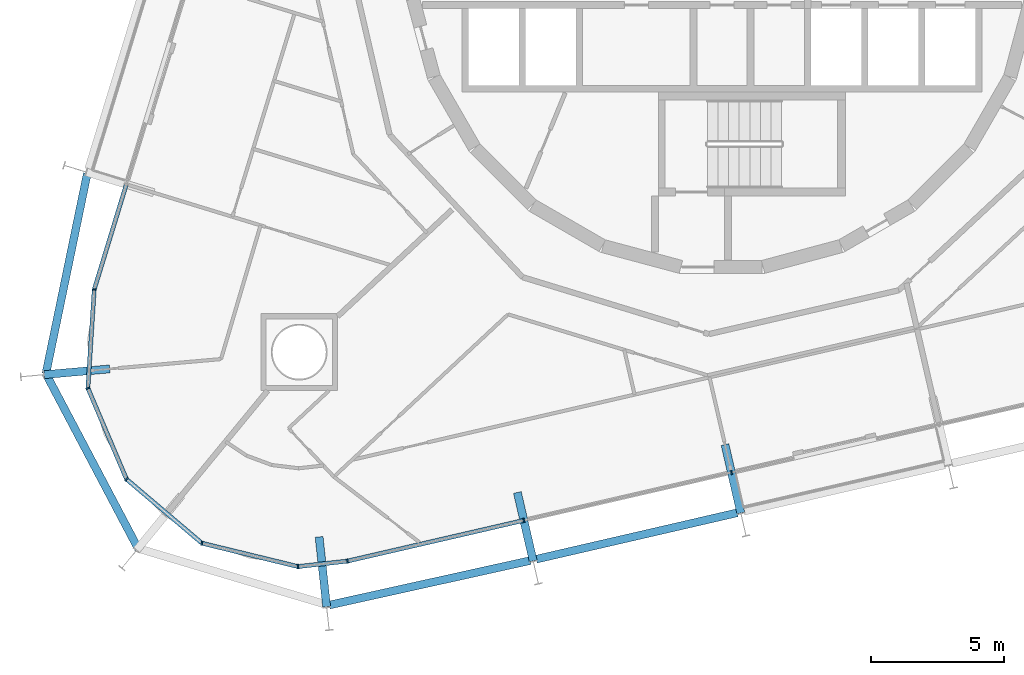
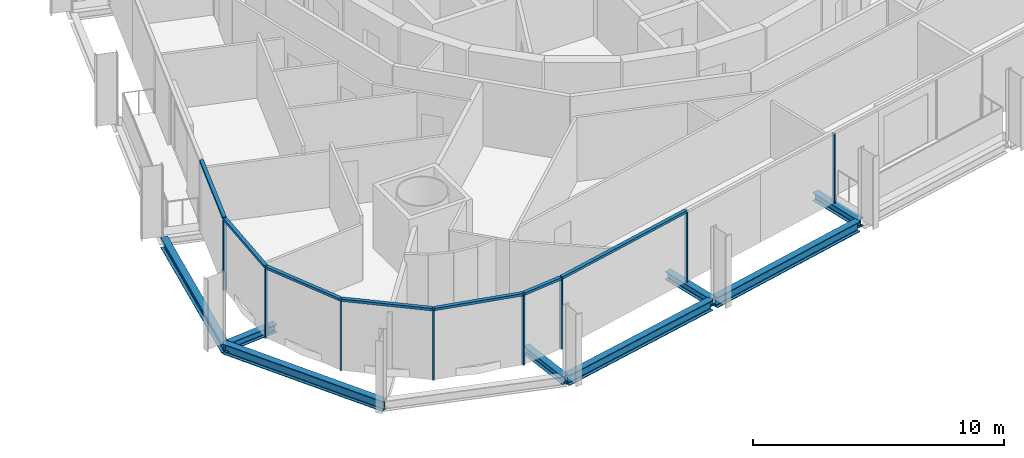
# One storey, part 3 of 18: 15 members, 8 beams, 2 elements without a shape of their own.
"""IFC4 building model written with IfcOpenShell, lengths in metres."""

from ifc_helpers import new_model, si_unit, direction, frame, origin, origin_2d, place, context, subcontext, project, spatial, rectangle, i_section, extrude, material, layer, layer_set, material_profile, profile_set, type_object, element, aggregate, save


model = new_model("IFC4")

# Units and contexts
model_context = context("Model", 3, precision=1e-05, world=origin(), true_north=direction((0.0, 1.0)))
body_context = subcontext(model_context, "Body", "Model", "MODEL_VIEW")
ifc_project = project(units=[si_unit("LENGTHUNIT", "METRE"), si_unit("AREAUNIT", "SQUARE_METRE"), si_unit("VOLUMEUNIT", "CUBIC_METRE"), si_unit("PLANEANGLEUNIT", "RADIAN"), si_unit("MASSUNIT", "GRAM", prefix="KILO")], contexts=[model_context])

# Site, building, storey
site_placement = place(None, origin())
site = spatial("IfcSite", under=ifc_project, at=site_placement, CompositionType="ELEMENT")
building_placement = place(site_placement, origin())
building = spatial("IfcBuilding", under=site, at=building_placement, Name="Spindle Arch Residences", CompositionType="ELEMENT")
storey_placement = place(building_placement, frame((0.0, 0.0, 123.89990234375)))
storey = spatial("IfcBuildingStorey", under=building, at=storey_placement, Name="L30", CompositionType="ELEMENT", Elevation=123.89990234375)

# Curtain wall, members
ifc_material_1 = material(Name="Aluminium bronze unitised frame with tinted glass", Category="aluminium")
ifc_layer_1 = layer(ifc_material_1, 0.159912109375)
ifc_layer_set_1 = layer_set([ifc_layer_1], Name="CW-D corner wall on the fillet arcs")
curtain_wall_type_1 = type_object("IfcCurtainWallType", Name="CW-D corner wall on the fillet arcs", PredefinedType="NOTDEFINED", material=ifc_layer_set_1)
curtain_wall_1_placement = place(storey_placement, origin())
curtain_wall_1 = element("IfcCurtainWall", 1, at=curtain_wall_1_placement, inside=storey, type_object=curtain_wall_type_1, Name="CW-D L30 run 5", PredefinedType="NOTDEFINED")
ifc_material_2 = material(Name="Aluminium bronze anodised mullion", Category="aluminium")
ifc_material_profile_1 = material_profile(ifc_material_2, rectangle(XDim=0.159912109375, YDim=0.06005859375, at=origin_2d()), Name="MU 60x160")
ifc_profile_set_1 = profile_set([ifc_material_profile_1], Name="Aluminium bronze anodised mullion")
member_type_1 = type_object("IfcMemberType", Name="Bronze mullion 60x160", PredefinedType="MULLION", material=ifc_profile_set_1)
member_1_placement = place(storey_placement, frame((-23.6572265625, -12.49267578125, -0.3798828125), z_axis=(0.0, 0.0, 1.0), x_axis=(0.997952993046, -0.063951729226, 0.0)))
member_1 = element("IfcMember", 2, at=member_1_placement, type_object=member_type_1, Name="CW-D mullion 01", PredefinedType="MULLION", context=body_context, shape_type="SweptSolid", body=[
    extrude(rectangle(XDim=0.159912109375, YDim=0.06005859375, at=origin_2d()), origin(), (0.0, 0.0, 1.0), 3.3798828125),
])
member_2_placement = place(storey_placement, frame((-23.8955078125, -16.2119140625, -0.3798828125), z_axis=(0.0, 0.0, 1.0), x_axis=(0.920504854032, 0.390731127124, 0.0)))
member_2 = element("IfcMember", 3, at=member_2_placement, type_object=member_type_1, Name="CW-D mullion 02", PredefinedType="MULLION", context=body_context, shape_type="SweptSolid", body=[
    extrude(rectangle(XDim=0.159912109375, YDim=0.06005859375, at=origin_2d()), origin(), (0.0, 0.0, 1.0), 3.3798828125),
])
member_3_placement = place(storey_placement, frame((-22.439208984375, -19.642333984375, -0.3798828125), z_axis=(0.0, 0.0, 1.0), x_axis=(0.647233374321, 0.762291912042, 0.0)))
member_3 = element("IfcMember", 4, at=member_3_placement, type_object=member_type_1, Name="CW-D mullion 03", PredefinedType="MULLION", context=body_context, shape_type="SweptSolid", body=[
    extrude(rectangle(XDim=0.159912109375, YDim=0.06005859375, at=origin_2d()), origin(), (0.0, 0.0, 1.0), 3.3798828125),
])
member_4_placement = place(storey_placement, frame((-19.598388671875, -22.054443359375, -0.3798828125), z_axis=(0.0, 0.0, 1.0), x_axis=(0.23627288281, 0.971686742139, 0.0)))
member_4 = element("IfcMember", 5, at=member_4_placement, type_object=member_type_1, Name="CW-D mullion 04", PredefinedType="MULLION", context=body_context, shape_type="SweptSolid", body=[
    extrude(rectangle(XDim=0.159912109375, YDim=0.06005859375, at=origin_2d()), origin(), (0.0, 0.0, 1.0), 3.3798828125),
])
member_5_placement = place(storey_placement, frame((-15.977294921875, -22.93505859375, -0.3798828125), z_axis=(0.0, 0.0, 1.0), x_axis=(-0.110312554381, 0.993896946542, 0.0)))
member_5 = element("IfcMember", 6, at=member_5_placement, type_object=member_type_1, Name="CW-D mullion 05", PredefinedType="MULLION", context=body_context, shape_type="SweptSolid", body=[
    extrude(rectangle(XDim=0.159912109375, YDim=0.06005859375, at=origin_2d()), origin(), (0.0, 0.0, 1.0), 3.3798828125),
])
member_6_placement = place(storey_placement, frame((-14.112548828125, -22.72802734375, -0.3798828125), z_axis=(0.0, 0.0, 1.0), x_axis=(-0.224951054344, 0.974370064785, 0.0)))
member_6 = element("IfcMember", 7, at=member_6_placement, type_object=member_type_1, Name="CW-D mullion 06", PredefinedType="MULLION", context=body_context, shape_type="SweptSolid", body=[
    extrude(rectangle(XDim=0.159912109375, YDim=0.06005859375, at=origin_2d()), origin(), (0.0, 0.0, 1.0), 3.3798828125),
])

ifc_material_3 = material(Name="Aluminium bronze unitised frame with tinted glass", Category="aluminium")
ifc_layer_2 = layer(ifc_material_3, 0.159912109375)
ifc_layer_set_2 = layer_set([ifc_layer_2], Name="CW-C typical residential unitised wall")
curtain_wall_type_2 = type_object("IfcCurtainWallType", Name="CW-C typical residential unitised wall", PredefinedType="NOTDEFINED", material=ifc_layer_set_2)
curtain_wall_2_placement = place(storey_placement, origin())
curtain_wall_2 = element("IfcCurtainWall", 8, at=curtain_wall_2_placement, inside=storey, type_object=curtain_wall_type_2, Name="CW-C L30 run 6", PredefinedType="NOTDEFINED")
member_7_placement = place(storey_placement, frame((-7.467529296875, -21.19384765625, -0.3798828125), z_axis=(0.0, 0.0, 1.0), x_axis=(-0.224951054344, 0.974370064785, 0.0)))
member_7 = element("IfcMember", 9, at=member_7_placement, type_object=member_type_1, Name="CW-C mullion 20", PredefinedType="MULLION", context=body_context, shape_type="SweptSolid", body=[
    extrude(rectangle(XDim=0.159912109375, YDim=0.06005859375, at=origin_2d()), origin(), (0.0, 0.0, 1.0), 3.3798828125),
])
member_8_placement = place(storey_placement, frame((0.355712890625, -19.3876953125, -0.3798828125), z_axis=(0.0, 0.0, 1.0), x_axis=(-0.224951054344, 0.974370064785, 0.0)))
member_8 = element("IfcMember", 10, at=member_8_placement, type_object=member_type_1, Name="CW-C mullion 21", PredefinedType="MULLION", context=body_context, shape_type="SweptSolid", body=[
    extrude(rectangle(XDim=0.159912109375, YDim=0.06005859375, at=origin_2d()), origin(), (0.0, 0.0, 1.0), 3.3798828125),
])
aggregate(curtain_wall_2, [member_7, member_8])

# Member
ifc_material_4 = material(Name="Aluminium bronze anodised transom", Category="aluminium")
ifc_material_profile_2 = material_profile(ifc_material_4, rectangle(XDim=0.159912109375, YDim=0.1201171875, at=origin_2d()), Name="TR 120x160")
ifc_profile_set_2 = profile_set([ifc_material_profile_2], Name="Aluminium bronze anodised transom")
member_type_2 = type_object("IfcMemberType", Name="Bronze transom 120x160", PredefinedType="USERDEFINED", material=ifc_profile_set_2)
member_9_placement = place(storey_placement, frame((-22.45458984375, -8.55908203125, 3.06005859375), z_axis=(-0.292362833345, -0.95630746817, 0.0), x_axis=(0.95630746817, -0.292362833345, 0.0)))
member_9 = element("IfcMember", 11, at=member_9_placement, type_object=member_type_2, Name="CW-D transom 00", ObjectType="TRANSOM", PredefinedType="USERDEFINED", context=body_context, shape_type="SweptSolid", body=[
    extrude(rectangle(XDim=0.159912109375, YDim=0.1201171875, at=origin_2d()), origin(), (0.0, 0.0, 1.0), 4.08349609375),
])

member_10_placement = place(storey_placement, frame((-23.6591796875, -12.522705078125, 3.06005859375), z_axis=(-0.063920256807, -0.997955009392, 0.0), x_axis=(0.997955009392, -0.063920256807, 0.0)))
member_10 = element("IfcMember", 12, at=member_10_placement, type_object=member_type_2, Name="CW-D transom 01", ObjectType="TRANSOM", PredefinedType="USERDEFINED", context=body_context, shape_type="SweptSolid", body=[
    extrude(rectangle(XDim=0.159912109375, YDim=0.1201171875, at=origin_2d()), origin(), (0.0, 0.0, 1.0), 3.666748046875),
])

member_11_placement = place(storey_placement, frame((-23.8837890625, -16.239501953125, 3.06005859375), z_axis=(0.39076699022, -0.920489630226, 0.0), x_axis=(0.920489630226, 0.39076699022, 0.0)))
member_11 = element("IfcMember", 13, at=member_11_placement, type_object=member_type_2, Name="CW-D transom 02", ObjectType="TRANSOM", PredefinedType="USERDEFINED", context=body_context, shape_type="SweptSolid", body=[
    extrude(rectangle(XDim=0.159912109375, YDim=0.1201171875, at=origin_2d()), origin(), (0.0, 0.0, 1.0), 3.666748046875),
])

member_12_placement = place(storey_placement, frame((-22.41650390625, -19.661865234375, 3.06005859375), z_axis=(0.762289120673, -0.647236661897, 0.0), x_axis=(0.647236661897, 0.762289120673, 0.0)))
member_12 = element("IfcMember", 14, at=member_12_placement, type_object=member_type_2, Name="CW-D transom 03", ObjectType="TRANSOM", PredefinedType="USERDEFINED", context=body_context, shape_type="SweptSolid", body=[
    extrude(rectangle(XDim=0.159912109375, YDim=0.1201171875, at=origin_2d()), origin(), (0.0, 0.0, 1.0), 3.666748046875),
])

member_13_placement = place(storey_placement, frame((-19.5693359375, -22.0615234375, 3.06005859375), z_axis=(0.971681239144, -0.236295513068, 0.0), x_axis=(0.236295513068, 0.971681239144, 0.0)))
member_13 = element("IfcMember", 15, at=member_13_placement, type_object=member_type_2, Name="CW-D transom 04", ObjectType="TRANSOM", PredefinedType="USERDEFINED", context=body_context, shape_type="SweptSolid", body=[
    extrude(rectangle(XDim=0.159912109375, YDim=0.1201171875, at=origin_2d()), origin(), (0.0, 0.0, 1.0), 3.666748046875),
])

member_14_placement = place(storey_placement, frame((-15.947509765625, -22.931640625, 3.06005859375), z_axis=(0.993906663087, 0.110224974808, 0.0), x_axis=(-0.110224974808, 0.993906663087, 0.0)))
member_14 = element("IfcMember", 16, at=member_14_placement, type_object=member_type_2, Name="CW-D transom 05", ObjectType="TRANSOM", PredefinedType="USERDEFINED", context=body_context, shape_type="SweptSolid", body=[
    extrude(rectangle(XDim=0.159912109375, YDim=0.1201171875, at=origin_2d()), origin(), (0.0, 0.0, 1.0), 1.816162109375),
])

member_15_placement = place(storey_placement, frame((-14.083251953125, -22.721435546875, 3.06005859375), z_axis=(0.974365014398, 0.224972928856, 0.0), x_axis=(-0.224972928856, 0.974365014398, 0.0)))
member_15 = element("IfcMember", 17, at=member_15_placement, type_object=member_type_2, Name="CW-D transom 06", ObjectType="TRANSOM", PredefinedType="USERDEFINED", context=body_context, shape_type="SweptSolid", body=[
    extrude(rectangle(XDim=0.159912109375, YDim=0.1201171875, at=origin_2d()), origin(), (0.0, 0.0, 1.0), 6.759765625),
])

aggregate(curtain_wall_1, [member_9, member_1, member_10, member_2, member_11, member_3, member_12, member_4, member_13, member_5, member_14, member_6, member_15])

# Beams
ifc_material_5 = material(Name="Steel S460ML, intumescent coating R 120", Category="steel")
ifc_material_profile_3 = material_profile(ifc_material_5, i_section(OverallWidth=0.300048828125, OverallDepth=0.5, WebThickness=0.014404296875, FlangeThickness=0.028076171875, FilletRadius=0.027099609375, at=origin_2d()), Name="HEB 500")
ifc_profile_set_3 = profile_set([ifc_material_profile_3], Name="Steel S460ML, intumescent coating R 120")
beam_type_1 = type_object("IfcBeamType", Name="Exoskeleton edge beam HEB 500", PredefinedType="BEAM", material=ifc_profile_set_3)
beam_1_placement = place(storey_placement, frame((-23.91650390625, -8.1181640625, -0.6298828125), z_axis=(-0.202483065161, -0.979285764383, 0.0), x_axis=(0.979285764383, -0.202483065161, 0.0)))
element("IfcBeam", 18, at=beam_1_placement, inside=storey, type_object=beam_type_1, Name="Exoskeleton edge beam 17", PredefinedType="BEAM", context=body_context, shape_type="SweptSolid", body=[
    extrude(i_section(OverallWidth=0.300048828125, OverallDepth=0.5, WebThickness=0.014404296875, FlangeThickness=0.028076171875, FilletRadius=0.027099609375, at=origin_2d()), origin(), (0.0, 0.0, 1.0), 7.708251953125),
])
beam_2_placement = place(storey_placement, frame((-25.4970703125, -15.62939453125, -0.6298828125), z_axis=(0.466652663296, -0.884440666093, 0.0), x_axis=(0.884440666093, 0.466652663296, 0.0)))
element("IfcBeam", 19, at=beam_2_placement, inside=storey, type_object=beam_type_1, Name="Exoskeleton edge beam 18", PredefinedType="BEAM", context=body_context, shape_type="SweptSolid", body=[
    extrude(i_section(OverallWidth=0.300048828125, OverallDepth=0.5, WebThickness=0.014404296875, FlangeThickness=0.028076171875, FilletRadius=0.027099609375, at=origin_2d()), origin(), (0.0, 0.0, 1.0), 7.559326171875),
])
beam_3_placement = place(storey_placement, frame((-14.804443359375, -24.385986328125, -0.6298828125), z_axis=(0.97635466486, 0.216174856093, 0.0), x_axis=(-0.216174856093, 0.97635466486, 0.0)))
element("IfcBeam", 20, at=beam_3_placement, inside=storey, type_object=beam_type_1, Name="Exoskeleton edge beam 20", PredefinedType="BEAM", context=body_context, shape_type="SweptSolid", body=[
    extrude(i_section(OverallWidth=0.300048828125, OverallDepth=0.5, WebThickness=0.014404296875, FlangeThickness=0.028076171875, FilletRadius=0.027099609375, at=origin_2d()), origin(), (0.0, 0.0, 1.0), 7.7666015625),
])
beam_4_placement = place(storey_placement, frame((-6.99658203125, -22.655517578125, -0.6298828125), z_axis=(0.974365237053, 0.224971964525, 0.0), x_axis=(-0.224971964525, 0.974365237053, 0.0)))
element("IfcBeam", 21, at=beam_4_placement, inside=storey, type_object=beam_type_1, Name="Exoskeleton edge beam 21", PredefinedType="BEAM", context=body_context, shape_type="SweptSolid", body=[
    extrude(i_section(OverallWidth=0.300048828125, OverallDepth=0.5, WebThickness=0.014404296875, FlangeThickness=0.028076171875, FilletRadius=0.027099609375, at=origin_2d()), origin(), (0.0, 0.0, 1.0), 7.76904296875),
])
ifc_material_6 = material(Name="Steel S460ML, intumescent coating R 120", Category="steel")
ifc_material_profile_4 = material_profile(ifc_material_6, i_section(OverallWidth=0.300048828125, OverallDepth=0.389892578125, WebThickness=0.010986328125, FlangeThickness=0.01904296875, FilletRadius=0.027099609375, at=origin_2d()), Name="HEA 400")
ifc_profile_set_4 = profile_set([ifc_material_profile_4], Name="Steel S460ML, intumescent coating R 120")
beam_type_2 = type_object("IfcBeamType", Name="Floor outrigger HEA 400", PredefinedType="BEAM", material=ifc_profile_set_4)
beam_5_placement = place(storey_placement, frame((-25.542724609375, -15.703369140625, -0.574951171875), z_axis=(0.996132127572, 0.087867994282, 0.0), x_axis=(-0.087867994282, 0.996132127572, 0.0)))
element("IfcBeam", 22, at=beam_5_placement, inside=storey, type_object=beam_type_2, Name="Floor outrigger 18", PredefinedType="BEAM", context=body_context, shape_type="SweptSolid", body=[
    extrude(i_section(OverallWidth=0.300048828125, OverallDepth=0.389892578125, WebThickness=0.010986328125, FlangeThickness=0.01904296875, FilletRadius=0.027099609375, at=origin_2d()), origin(), (0.0, 0.0, 1.0), 2.48388671875),
])
for number, where, z_axis, x_axis, name in (
    (23, (-14.898193359375, -24.44970703125, -0.574951171875), (-0.106962509845, 0.994263054472, 0.0), (-0.994263054472, -0.106962509845, 0.0), "Floor outrigger 20"),
    (24, (-7.1142578125, -22.7236328125, -0.574951171875), (-0.224980619228, 0.974363238721, 0.0), (-0.974363238721, -0.224980619228, 0.0), "Floor outrigger 21"),
    (25, (0.708984375, -20.91748046875, -0.574951171875), (-0.224980619228, 0.974363238721, 0.0), (-0.974363238721, -0.224980619228, 0.0), "Floor outrigger 22"),
):
    element("IfcBeam", number, at=place(storey_placement, frame(where, z_axis=z_axis, x_axis=x_axis)), inside=storey, type_object=beam_type_2, Name=name, PredefinedType="BEAM", context=body_context, shape_type="SweptSolid", body=[
        extrude(i_section(OverallWidth=0.300048828125, OverallDepth=0.389892578125, WebThickness=0.010986328125, FlangeThickness=0.01904296875, FilletRadius=0.027099609375, at=origin_2d()), origin(), (0.0, 0.0, 1.0), 2.64990234375),
    ])

save(model, "model.ifc")
